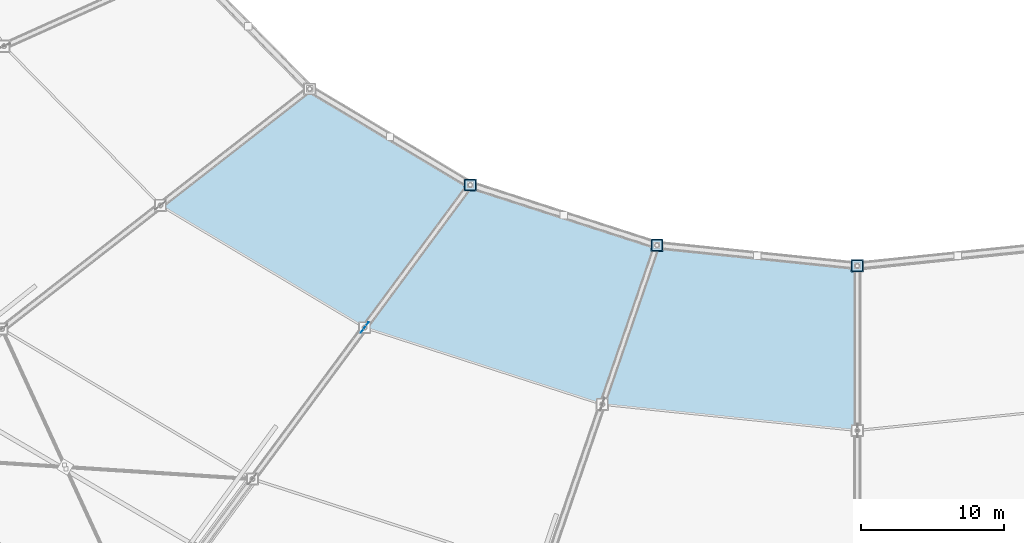
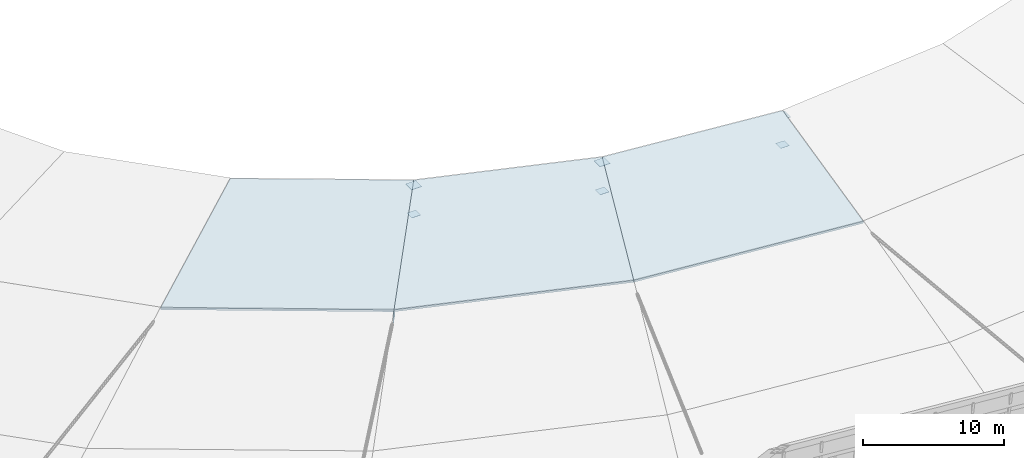
# One storey, part 84 of 115: 7 plates, 3 slabs, 1 element without a shape of its own.
"""IFC4 building model written with IfcOpenShell, lengths in metres."""

from ifc_helpers import new_model, si_unit, direction, frame, origin, origin_2d, place, context, subcontext, project, spatial, polyline, rectangle, outline, extrude, material, layer, layer_set, type_object, element, aggregate, save


model = new_model("IFC4")

# Units and contexts
model_context = context("Model", 3, precision=1e-05, world=origin(), true_north=direction((0.0, 1.0)))
body_context = subcontext(model_context, "Body", "Model", "MODEL_VIEW")
ifc_project = project(units=[si_unit("LENGTHUNIT", "METRE"), si_unit("AREAUNIT", "SQUARE_METRE"), si_unit("VOLUMEUNIT", "CUBIC_METRE"), si_unit("PLANEANGLEUNIT", "RADIAN"), si_unit("MASSUNIT", "GRAM", prefix="KILO")], contexts=[model_context])

# Site, building, storey
site_placement = place(None, origin())
site = spatial("IfcSite", under=ifc_project, at=site_placement, CompositionType="ELEMENT")
building_placement = place(site_placement, origin())
building = spatial("IfcBuilding", under=site, at=building_placement, Name="Zlatoyarsky Gate Stadium", CompositionType="ELEMENT")
storey_placement = place(building_placement, frame((0.0, 0.0, 31.800048828125)))
storey = spatial("IfcBuildingStorey", under=building, at=storey_placement, Name="RF", CompositionType="ELEMENT", Elevation=31.800048828125)

# Roof, slabs
ifc_material_1 = material(Name="Standing-seam aluminium-zinc roofing with mineral wool insulation", Category="aluminium")
ifc_layer_1 = layer(ifc_material_1, 0.080078125)
ifc_layer_set_1 = layer_set([ifc_layer_1], Name="Standing-seam aluminium-zinc roofing with mineral wool insulation")
roof_type = type_object("IfcRoofType", Name="STADIUM BARREL VAULT ROOF ASSEMBLY", PredefinedType="BARREL_ROOF", material=ifc_layer_set_1)
roof_placement = place(storey_placement, origin())
roof = element("IfcRoof", 1, at=roof_placement, inside=storey, type_object=roof_type, Name="Stadium barrel arch roof sector 6", PredefinedType="BARREL_ROOF")
ifc_material_2 = material(Name="Concrete C40/50", Category="concrete")
ifc_layer_2 = layer(ifc_material_2, 0.199951171875)
ifc_layer_set_2 = layer_set([ifc_layer_2], Name="Concrete C40/50")
slab_type = type_object("IfcSlabType", Name="COMPOSITE STADIUM ROOF DECK SLAB 200", PredefinedType="ROOF", material=ifc_layer_set_2)
slab_1_placement = place(storey_placement, frame((62.394287109375, 42.08447265625, 6.75), z_axis=(-0.108033387963, -0.180488381017, 0.977626069314), x_axis=(0.858038956174, -0.51358460811, 8.19339e-07)))
slab_1 = element("IfcSlab", 2, at=slab_1_placement, type_object=slab_type, Name="Stadium arched roof deck sector 15 bay 3", PredefinedType="ROOF", context=body_context, shape_type="SweptSolid", body=[
    extrude(outline(polyline([(0.0, 0.0), (16.59170195050538, 1.7763568394002505e-15), (17.799917642388266, 12.597496481387736), (4.762249659606838, 12.597611891195024), (0.0, 0.0)])), origin(), (0.0, 0.0, -1.0), 0.199951171875),
])
slab_2_placement = place(storey_placement, frame((76.630615234375, 33.563232421875, 6.75), z_axis=(-0.067758031107, -0.209707146145, 0.975413636401), x_axis=(0.951560523066, -0.307461495055, -1.030491e-06)))
slab_2 = element("IfcSlab", 3, at=slab_2_placement, type_object=slab_type, Name="Stadium arched roof deck sector 16 bay 3", PredefinedType="ROOF", context=body_context, shape_type="SweptSolid", body=[
    extrude(outline(polyline([(0.0, 0.0), (17.42229735883615, 0.0), (17.637674146388235, 12.024213374428413), (3.9469601064556965, 12.024067892131605), (0.0, 0.0)])), origin(), (0.0, 0.0, -1.0), 0.199951171875),
])
slab_3_placement = place(storey_placement, frame((93.208984375, 28.20654296875, 6.75), z_axis=(-0.023082163871, -0.224749293914, 0.974143197172), x_axis=(0.994767639203, -0.102163320197, 2.62367e-07)))
slab_3 = element("IfcSlab", 4, at=slab_3_placement, type_object=slab_type, Name="Stadium arched roof deck sector 17 bay 3", PredefinedType="ROOF", context=body_context, shape_type="SweptSolid", body=[
    extrude(outline(polyline([(0.0, 0.0), (17.884594163179372, -2.220446049250313e-16), (16.711188266952558, 11.728768464324467), (2.657670922679552, 11.728805553058613), (0.0, 0.0)])), origin(), (0.0, 0.0, -1.0), 0.199951171875),
])
aggregate(roof, [slab_1, slab_2, slab_3])

# Plates
ifc_material_3 = material(Name="Steel S355", Category="steel")
ifc_layer_3 = layer(ifc_material_3, 0.031982421875)
ifc_layer_set_3 = layer_set([ifc_layer_3], Name="Steel S355")
plate_type_1 = type_object("IfcPlateType", Name="STEEL RADIAL TRUSS GUSSET PLATE 32", PredefinedType="USERDEFINED", material=ifc_layer_set_3)
plate_1_placement = place(storey_placement, frame((76.630615234375, 33.563232421875, 5.93994140625), z_axis=(0.0, 0.0, 1.0), x_axis=(0.594913145096, 0.8037899911, 0.0)))
element("IfcPlate", 5, at=plate_1_placement, inside=storey, type_object=plate_type_1, Name="Radial truss gusset plate ND-WB1 16.2", ObjectType="GUSSET PLATE", PredefinedType="USERDEFINED", context=body_context, shape_type="SweptSolid", body=[
    extrude(rectangle(XDim=0.919921875, YDim=0.031982421875, at=origin_2d()), origin(), (0.0, 0.0, 1.0), 0.719970703125),
])
ifc_layer_4 = layer(ifc_material_3, 0.02392578125)
ifc_layer_set_4 = layer_set([ifc_layer_4], Name="Steel S355")
plate_type_2 = type_object("IfcPlateType", Name="STEEL TENSION RING NODE CAP SHEET 24", PredefinedType="SHEET", material=ifc_layer_set_4)
plate_2_placement = place(storey_placement, frame((83.992431640625, 43.510009765625, 8.93798828125), z_axis=(0.0, 0.0, 1.0), x_axis=(1.0, 0.0, 0.0)))
element("IfcPlate", 6, at=plate_2_placement, inside=storey, type_object=plate_type_2, Name="Node closure plate ND-TR1 NCAP-TCH-16-3", PredefinedType="SHEET", context=body_context, shape_type="SweptSolid", body=[
    extrude(rectangle(XDim=0.85009765625, YDim=0.85009765625, at=origin_2d()), origin(), (0.0, 0.0, 1.0), 0.02392578125),
])
plate_3_placement = place(storey_placement, frame((83.992431640625, 43.510009765625, 6.43798828125), z_axis=(0.0, 0.0, 1.0), x_axis=(1.0, 0.0, 0.0)))
element("IfcPlate", 7, at=plate_3_placement, inside=storey, type_object=plate_type_2, Name="Node closure plate ND-TR1 NCAP-BCH-16-3", PredefinedType="SHEET", context=body_context, shape_type="SweptSolid", body=[
    extrude(rectangle(XDim=0.719970703125, YDim=0.719970703125, at=origin_2d()), origin(), (0.0, 0.0, 1.0), 0.02392578125),
])
plate_4_placement = place(storey_placement, frame((97.02001953125, 39.30078125, 8.93798828125), z_axis=(0.0, 0.0, 1.0), x_axis=(1.0, 0.0, 0.0)))
element("IfcPlate", 8, at=plate_4_placement, inside=storey, type_object=plate_type_2, Name="Node closure plate ND-TR1 NCAP-TCH-17-3", PredefinedType="SHEET", context=body_context, shape_type="SweptSolid", body=[
    extrude(rectangle(XDim=0.85009765625, YDim=0.85009765625, at=origin_2d()), origin(), (0.0, 0.0, 1.0), 0.02392578125),
])
plate_5_placement = place(storey_placement, frame((97.02001953125, 39.30078125, 6.43798828125), z_axis=(0.0, 0.0, 1.0), x_axis=(1.0, 0.0, 0.0)))
element("IfcPlate", 9, at=plate_5_placement, inside=storey, type_object=plate_type_2, Name="Node closure plate ND-TR1 NCAP-BCH-17-3", PredefinedType="SHEET", context=body_context, shape_type="SweptSolid", body=[
    extrude(rectangle(XDim=0.719970703125, YDim=0.719970703125, at=origin_2d()), origin(), (0.0, 0.0, 1.0), 0.02392578125),
])
plate_6_placement = place(storey_placement, frame((111.0, 37.864990234375, 8.93798828125), z_axis=(0.0, 0.0, 1.0), x_axis=(1.0, 0.0, 0.0)))
element("IfcPlate", 10, at=plate_6_placement, inside=storey, type_object=plate_type_2, Name="Node closure plate ND-TR1 NCAP-TCH-18-3", PredefinedType="SHEET", context=body_context, shape_type="SweptSolid", body=[
    extrude(rectangle(XDim=0.85009765625, YDim=0.85009765625, at=origin_2d()), origin(), (0.0, 0.0, 1.0), 0.02392578125),
])
plate_7_placement = place(storey_placement, frame((111.0, 37.864990234375, 6.43798828125), z_axis=(0.0, 0.0, 1.0), x_axis=(1.0, 0.0, 0.0)))
element("IfcPlate", 11, at=plate_7_placement, inside=storey, type_object=plate_type_2, Name="Node closure plate ND-TR1 NCAP-BCH-18-3", PredefinedType="SHEET", context=body_context, shape_type="SweptSolid", body=[
    extrude(rectangle(XDim=0.719970703125, YDim=0.719970703125, at=origin_2d()), origin(), (0.0, 0.0, 1.0), 0.02392578125),
])

save(model, "model.ifc")
